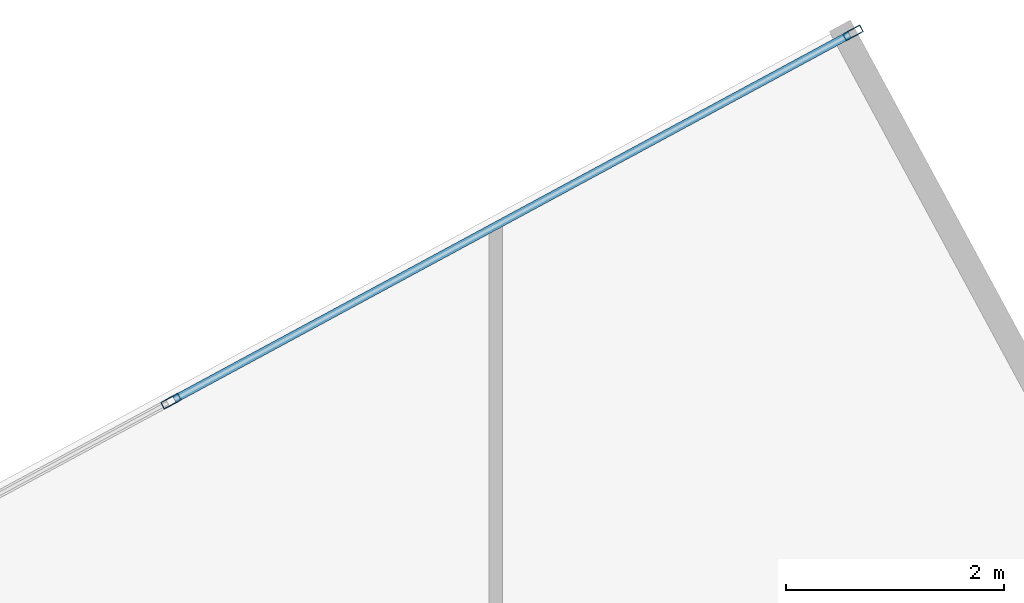
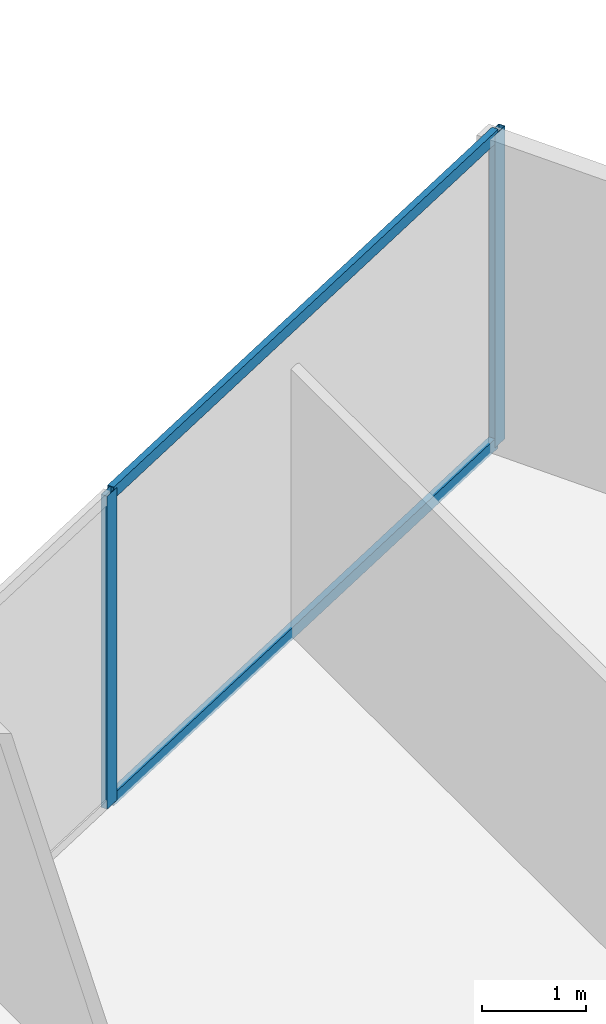
# One storey, part 16 of 22: 4 members, 1 element without a shape of its own.
"""IFC4 building model written with IfcOpenShell, lengths in metres."""

from ifc_helpers import new_model, si_unit, direction, frame, origin, origin_2d, place, context, subcontext, project, spatial, hollow_rectangle, extrude, source, transform, mapped, material, material_profile, profile_set, type_object, type_shapes, element, aggregate, save


model = new_model("IFC4")

# Units and contexts
model_context = context("Model", 3, precision=1e-05, world=origin(), true_north=direction((0.0, 1.0)))
body_context = subcontext(model_context, "Body", "Model", "MODEL_VIEW")
ifc_project = project(units=[si_unit("LENGTHUNIT", "METRE"), si_unit("AREAUNIT", "SQUARE_METRE"), si_unit("VOLUMEUNIT", "CUBIC_METRE"), si_unit("PLANEANGLEUNIT", "RADIAN"), si_unit("MASSUNIT", "GRAM", prefix="KILO")], contexts=[model_context])

# Site, building, storey
site_placement = place(None, origin())
site = spatial("IfcSite", under=ifc_project, at=site_placement, CompositionType="ELEMENT")
building_placement = place(site_placement, origin())
building = spatial("IfcBuilding", under=site, at=building_placement, Name="Krantzveldt Concourse Tower", CompositionType="ELEMENT")
storey_placement = place(building_placement, frame((0.0, 0.0, 306.89990234375)))
storey = spatial("IfcBuildingStorey", under=building, at=storey_placement, Name="L75", CompositionType="ELEMENT", Elevation=306.89990234375)

# Curtain wall, members
ifc_material = material(Name="Anodised aluminium 6063-T6", Category="aluminium")
curtain_wall_type = type_object("IfcCurtainWallType", Name="CW4", PredefinedType="USERDEFINED", material=ifc_material)
curtain_wall_placement = place(storey_placement, origin())
curtain_wall = element("IfcCurtainWall", 1, at=curtain_wall_placement, inside=storey, type_object=curtain_wall_type, Name="CW-L75-F01", ObjectType="UNITISED CURTAIN WALL", PredefinedType="USERDEFINED")
ifc_material_profile_1 = material_profile(ifc_material, hollow_rectangle(XDim=0.070068359375, YDim=0.179931640625, WallThickness=0.0048828125, at=origin_2d()), Name="Anodised aluminium 6063-T6", Category="aluminium")
ifc_profile_set_1 = profile_set([ifc_material_profile_1], Name="Anodised aluminium 6063-T6 - ALU-MULL 180x70x5")
member_type_1 = type_object("IfcMemberType", Name="CW-MUL-180", PredefinedType="MULLION", material=ifc_profile_set_1)
shared_shape_1 = source(origin(), body_context, "Body", "SweptSolid", [
    extrude(hollow_rectangle(XDim=0.070068359375, YDim=0.179931640625, WallThickness=0.0048828125, at=origin_2d()), origin(), (0.0, 0.0, 1.0), 3.670166015625),
])
type_shapes(member_type_1, [shared_shape_1])
member_1_placement = place(storey_placement, frame((39.279296875, 50.645263671875, 0.0), z_axis=(0.0, 0.0, 1.0), x_axis=(0.475240271736, -0.87985605875, 0.0)))
member_1 = element("IfcMember", 2, at=member_1_placement, type_object=member_type_1, Name="CW-Z56 mullion 1", PredefinedType="MULLION", context=body_context, shape_type="MappedRepresentation", body=[
    mapped(shared_shape_1, transform((0.0, 0.0, 0.0), x_axis=(1.0, 0.0, 0.0), y_axis=(0.0, 1.0, 0.0), z_axis=(0.0, 0.0, 1.0), scale=1.0)),
])
member_2_placement = place(storey_placement, frame((33.01904296875, 47.263916015625, 0.0), z_axis=(0.0, 0.0, 1.0), x_axis=(0.475240271736, -0.87985605875, 0.0)))
member_2 = element("IfcMember", 3, at=member_2_placement, type_object=member_type_1, Name="CW-Z56 mullion 2", PredefinedType="MULLION", context=body_context, shape_type="MappedRepresentation", body=[
    mapped(shared_shape_1, transform((0.0, 0.0, 0.0), x_axis=(1.0, 0.0, 0.0), y_axis=(0.0, 1.0, 0.0), z_axis=(0.0, 0.0, 1.0), scale=1.0)),
])
ifc_material_profile_2 = material_profile(ifc_material, hollow_rectangle(XDim=0.070068359375, YDim=0.139892578125, WallThickness=0.0048828125, at=origin_2d()), Name="Anodised aluminium 6063-T6", Category="aluminium")
ifc_profile_set_2 = profile_set([ifc_material_profile_2], Name="Anodised aluminium 6063-T6 - ALU-TRAN 140x70x5")
member_type_2 = type_object("IfcMemberType", Name="CW-TRN-150", PredefinedType="USERDEFINED", material=ifc_profile_set_2)
shared_shape_2 = source(origin(), body_context, "Body", "SweptSolid", [
    extrude(hollow_rectangle(XDim=0.070068359375, YDim=0.139892578125, WallThickness=0.0048828125, at=origin_2d()), origin(), (0.0, 0.0, 1.0), 7.044921875),
])
type_shapes(member_type_2, [shared_shape_2])
member_3_placement = place(storey_placement, frame((39.248291015625, 50.628662109375, 0.03515625), z_axis=(-0.879848306025, -0.475254624791, 0.0), x_axis=(0.475254624791, -0.879848306025, 0.0)))
member_3 = element("IfcMember", 4, at=member_3_placement, type_object=member_type_2, Name="CW-Z56 transom 1.1", ObjectType="TRANSOM", PredefinedType="USERDEFINED", context=body_context, shape_type="MappedRepresentation", body=[
    mapped(shared_shape_2, transform((0.0, 0.0, 0.0), x_axis=(1.0, 0.0, 0.0), y_axis=(0.0, 1.0, 0.0), z_axis=(0.0, 0.0, 1.0), scale=1.0)),
])
member_4_placement = place(storey_placement, frame((39.248291015625, 50.628662109375, 3.635009765625), z_axis=(-0.879848306025, -0.475254624791, 0.0), x_axis=(0.475254624791, -0.879848306025, 0.0)))
member_4 = element("IfcMember", 5, at=member_4_placement, type_object=member_type_2, Name="CW-Z56 transom 1.2", ObjectType="TRANSOM", PredefinedType="USERDEFINED", context=body_context, shape_type="MappedRepresentation", body=[
    mapped(shared_shape_2, transform((0.0, 0.0, 0.0), x_axis=(1.0, 0.0, 0.0), y_axis=(0.0, 1.0, 0.0), z_axis=(0.0, 0.0, 1.0), scale=1.0)),
])
aggregate(curtain_wall, [member_1, member_2, member_3, member_4])

save(model, "model.ifc")
